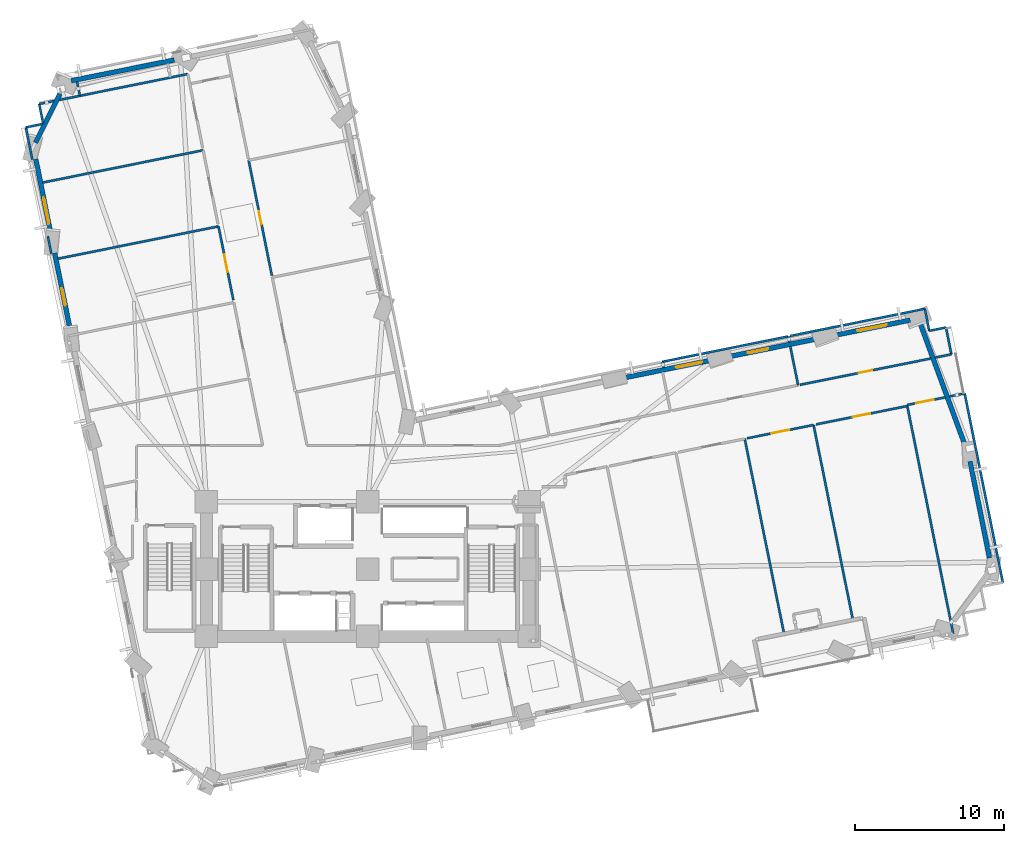
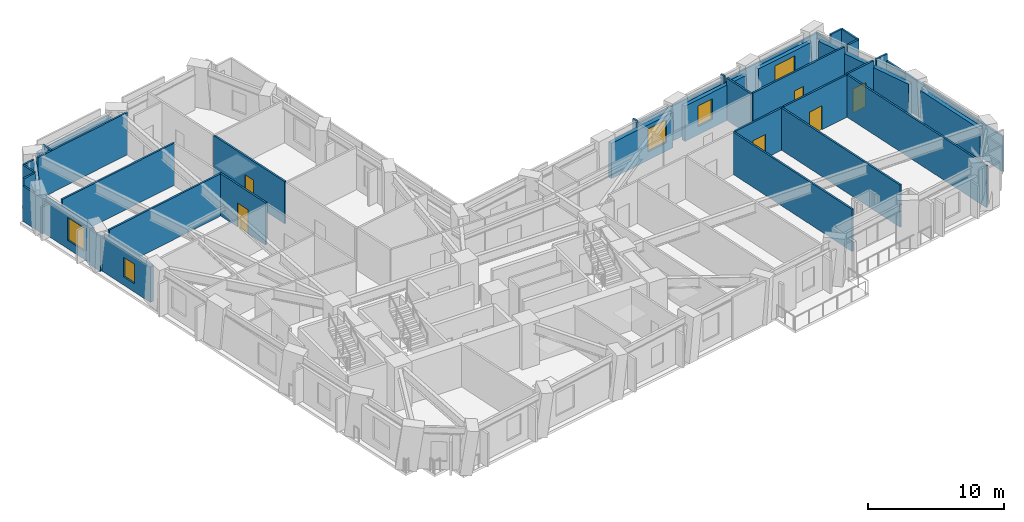
# One storey, part 10 of 16: 38 walls, 6 doors, 5 windows, 11 openings.
"""IFC4 building model written with IfcOpenShell, lengths in metres."""

from ifc_helpers import new_model, si_unit, direction, frame, frame_2d, origin, place, context, subcontext, project, spatial, rectangle, extrude, material, layer, layer_set, type_object, element, fill, save


model = new_model("IFC4")

# Units and contexts
model_context = context("Model", 3, precision=1e-05, world=origin(), true_north=direction((0.0, 1.0)))
body_context = subcontext(model_context, "Body", "Model", "MODEL_VIEW")
ifc_project = project(units=[si_unit("LENGTHUNIT", "METRE"), si_unit("AREAUNIT", "SQUARE_METRE"), si_unit("VOLUMEUNIT", "CUBIC_METRE"), si_unit("PLANEANGLEUNIT", "RADIAN"), si_unit("MASSUNIT", "GRAM", prefix="KILO")], contexts=[model_context])

# Site, building, storey
site_placement = place(None, origin())
site = spatial("IfcSite", under=ifc_project, at=site_placement, CompositionType="ELEMENT")
building_placement = place(site_placement, origin())
building = spatial("IfcBuilding", under=site, at=building_placement, Name="Gaonmaruhae Medical Tower", CompositionType="ELEMENT")
storey_placement = place(building_placement, frame((0.0, 0.0, 71.0)))
storey = spatial("IfcBuildingStorey", under=building, at=storey_placement, Name="L16", CompositionType="ELEMENT", Elevation=71.0)

# Walls
ifc_material_1 = material(Name="Precast concrete C45/55", Category="concrete")
ifc_layer_1 = layer(ifc_material_1, 0.320068359375)
ifc_layer_set_1 = layer_set([ifc_layer_1], Name="Precast concrete C45/55")
wall_type_1 = type_object("IfcWallType", Name="EW-320 Lower Precast Masonry-Frame Facade Wall", PredefinedType="SOLIDWALL", material=ifc_layer_set_1)
wall_1_placement = place(storey_placement, frame((65.114990234375, 19.52197265625, 0.0), z_axis=(0.0, 0.0, 1.0), x_axis=(0.197635891503, -0.98027549923, 0.0)))
element("IfcWall", 1, at=wall_1_placement, inside=storey, type_object=wall_type_1, Name="L16 Precast Masonry-Frame Wall E01-E02", PredefinedType="SOLIDWALL", context=body_context, shape_type="SweptSolid", body=[
    extrude(rectangle(XDim=6.610107421875, YDim=0.320068359375, at=frame_2d((3.30517578125, 0.0))), origin(), (0.0, 0.0, 1.0), 3.1650390625),
])
wall_2_placement = place(storey_placement, frame((61.787109375, 28.72802734375, 0.0), z_axis=(0.0, 0.0, 1.0), x_axis=(0.345133939305, -0.93855344224, 0.0)))
element("IfcWall", 2, at=wall_2_placement, inside=storey, type_object=wall_type_1, Name="L16 Precast Masonry-Frame Wall E02-E03", PredefinedType="SOLIDWALL", context=body_context, shape_type="SweptSolid", body=[
    extrude(rectangle(XDim=8.61376953125, YDim=0.320068359375, at=frame_2d((4.306884765625, 0.0))), origin(), (0.0, 0.0, 1.0), 3.1650390625),
])

# Wall, opening, window
wall_3_placement = place(storey_placement, frame((56.0107421875, 27.941650390625, 0.0), z_axis=(0.0, 0.0, 1.0), x_axis=(0.980274855715, 0.197639083312, 0.0)))
wall_3 = element("IfcWall", 3, at=wall_3_placement, inside=storey, type_object=wall_type_1, Name="L16 Precast Masonry-Frame Wall E03-EN01", PredefinedType="SOLIDWALL", context=body_context, shape_type="SweptSolid", body=[
    extrude(rectangle(XDim=5.209228515625, YDim=0.320068359375, at=frame_2d((2.6044921875, 0.0))), origin(), (0.0, 0.0, 1.0), 3.1650390625),
])
opening_1_placement = place(wall_3_placement, frame((1.60009765625, 0.0, 0.75)))
opening_1 = element("IfcOpeningElement", 4, at=opening_1_placement, cuts=wall_3, Name="Opening WN-02", PredefinedType="OPENING", context=body_context, shape_type="SweptSolid", body=[
    extrude(rectangle(XDim=2.0, YDim=1.949951171875, at=frame_2d((1.0, 0.97509765625))), frame((0.0, 0.169921875, 0.0), z_axis=(0.0, -1.0, 0.0), x_axis=(1.0, 0.0, 0.0)), (0.0, 0.0, 1.0), 0.340087890625),
])
ifc_material_2 = material(Name="Anodised aluminium and Low-E double glazing", Category="aluminium")
window_type_1 = type_object("IfcWindowType", Name="WN-02 Double-Bed Ward Punched Window 2000x1950", PartitioningType="SINGLE_PANEL", PredefinedType="WINDOW", material=ifc_material_2)
window_1_placement = place(opening_1_placement, origin())
window_1 = element("IfcWindow", 5, at=window_1_placement, inside=storey, type_object=window_type_1, Name="L16 Modular Facade Window E03", OverallHeight=1.949951171875, OverallWidth=2.0, PartitioningType="SINGLE_PANEL", PredefinedType="WINDOW", context=body_context, shape_type="SweptSolid", body=[
    extrude(rectangle(XDim=2.0, YDim=1.949951171875, at=frame_2d((1.0, 0.97509765625))), frame((0.0, 0.030029296875, 0.0), z_axis=(0.0, -1.0, 0.0), x_axis=(1.0, 0.0, 0.0)), (0.0, 0.0, 1.0), 0.06005859375),
])
fill(opening_1, window_1)

wall_4_placement = place(storey_placement, frame((48.968505859375, 26.521484375, 0.0), z_axis=(0.0, 0.0, 1.0), x_axis=(0.980264549112, 0.197690196402, 0.0)))
wall_4 = element("IfcWall", 6, at=wall_4_placement, inside=storey, type_object=wall_type_1, Name="L16 Precast Masonry-Frame Wall EN01-EN02", PredefinedType="SOLIDWALL", context=body_context, shape_type="SweptSolid", body=[
    extrude(rectangle(XDim=6.024169921875, YDim=0.320068359375, at=frame_2d((3.01220703125, 0.0))), origin(), (0.0, 0.0, 1.0), 3.1650390625),
])
opening_2_placement = place(wall_4_placement, frame((1.282958984375, 0.0, 0.75)))
opening_2 = element("IfcOpeningElement", 7, at=opening_2_placement, cuts=wall_4, Name="Opening WN-03", PredefinedType="OPENING", context=body_context, shape_type="SweptSolid", body=[
    extrude(rectangle(XDim=1.39990234375, YDim=1.85009765625, at=frame_2d((0.699951171875, 0.925048828125))), frame((0.0, 0.169921875, 0.0), z_axis=(0.0, -1.0, 0.0), x_axis=(1.0, 0.0, 0.0)), (0.0, 0.0, 1.0), 0.340087890625),
])
window_type_2 = type_object("IfcWindowType", Name="WN-03 Isolation Ward Punched Window 1400x1850", PartitioningType="SINGLE_PANEL", PredefinedType="WINDOW", material=ifc_material_2)
window_2_placement = place(opening_2_placement, origin())
window_2 = element("IfcWindow", 8, at=window_2_placement, inside=storey, type_object=window_type_2, Name="L16 Modular Facade Window EN01", OverallHeight=1.85009765625, OverallWidth=1.39990234375, PartitioningType="SINGLE_PANEL", PredefinedType="WINDOW", context=body_context, shape_type="SweptSolid", body=[
    extrude(rectangle(XDim=1.39990234375, YDim=1.85009765625, at=frame_2d((0.699951171875, 0.925048828125))), frame((0.0, 0.030029296875, 0.0), z_axis=(0.0, -1.0, 0.0), x_axis=(1.0, 0.0, 0.0)), (0.0, 0.0, 1.0), 0.06005859375),
])
fill(opening_2, window_2)

wall_5_placement = place(storey_placement, frame((41.919921875, 25.100341796875, 0.0), z_axis=(0.0, 0.0, 1.0), x_axis=(0.980266412563, 0.197680956091, 0.0)))
wall_5 = element("IfcWall", 9, at=wall_5_placement, inside=storey, type_object=wall_type_1, Name="L16 Precast Masonry-Frame Wall EN02-EN03", PredefinedType="SOLIDWALL", context=body_context, shape_type="SweptSolid", body=[
    extrude(rectangle(XDim=5.999755859375, YDim=0.320068359375, at=frame_2d((3.0, 0.0))), origin(), (0.0, 0.0, 1.0), 3.1650390625),
])
opening_3_placement = place(wall_5_placement, frame((3.58251953125, 0.0, 0.75)))
opening_3 = element("IfcOpeningElement", 10, at=opening_3_placement, cuts=wall_5, Name="Opening WN-04", PredefinedType="OPENING", context=body_context, shape_type="SweptSolid", body=[
    extrude(rectangle(XDim=1.800048828125, YDim=2.050048828125, at=frame_2d((0.89990234375, 1.02490234375))), frame((0.0, 0.169921875, 0.0), z_axis=(0.0, -1.0, 0.0), x_axis=(1.0, 0.0, 0.0)), (0.0, 0.0, 1.0), 0.340087890625),
])
window_type_3 = type_object("IfcWindowType", Name="WN-04 Clinic & Consult Punched Window 1800x2050", PartitioningType="SINGLE_PANEL", PredefinedType="WINDOW", material=ifc_material_2)
window_3_placement = place(opening_3_placement, origin())
window_3 = element("IfcWindow", 11, at=window_3_placement, inside=storey, type_object=window_type_3, Name="L16 Modular Facade Window EN02", OverallHeight=2.050048828125, OverallWidth=1.800048828125, PartitioningType="SINGLE_PANEL", PredefinedType="WINDOW", context=body_context, shape_type="SweptSolid", body=[
    extrude(rectangle(XDim=1.800048828125, YDim=2.050048828125, at=frame_2d((0.89990234375, 1.02490234375))), frame((0.0, 0.030029296875, 0.0), z_axis=(0.0, -1.0, 0.0), x_axis=(1.0, 0.0, 0.0)), (0.0, 0.0, 1.0), 0.06005859375),
])
fill(opening_3, window_3)

# Walls
wall_6_placement = place(storey_placement, frame((4.9580078125, 44.987060546875, 0.0), z_axis=(0.0, 0.0, 1.0), x_axis=(0.980272459047, 0.197650970234, 0.0)))
element("IfcWall", 12, at=wall_6_placement, inside=storey, type_object=wall_type_1, Name="L16 Precast Masonry-Frame Wall N02-N03", PredefinedType="SOLIDWALL", context=body_context, shape_type="SweptSolid", body=[
    extrude(rectangle(XDim=7.034423828125, YDim=0.320068359375, at=frame_2d((3.51708984375, 0.0))), origin(), (0.0, 0.0, 1.0), 3.1650390625),
])
wall_7_placement = place(storey_placement, frame((2.564208984375, 40.8330078125, 0.0), z_axis=(0.0, 0.0, 1.0), x_axis=(0.446654108226, 0.894706715972, 0.0)))
element("IfcWall", 13, at=wall_7_placement, inside=storey, type_object=wall_type_1, Name="L16 Precast Masonry-Frame Wall N03-W01", PredefinedType="SOLIDWALL", context=body_context, shape_type="SweptSolid", body=[
    extrude(rectangle(XDim=3.666015625, YDim=0.320068359375, at=frame_2d((1.8330078125, 0.0))), origin(), (0.0, 0.0, 1.0), 3.1650390625),
])

# Wall, opening, window
wall_8_placement = place(storey_placement, frame((3.61474609375, 34.6337890625, 0.0), z_axis=(0.0, 0.0, 1.0), x_axis=(-0.197635090988, 0.980275660623, 0.0)))
wall_8 = element("IfcWall", 14, at=wall_8_placement, inside=storey, type_object=wall_type_1, Name="L16 Precast Masonry-Frame Wall W01-W02", PredefinedType="SOLIDWALL", context=body_context, shape_type="SweptSolid", body=[
    extrude(rectangle(XDim=5.222900390625, YDim=0.320068359375, at=frame_2d((2.611328125, 0.0))), origin(), (0.0, 0.0, 1.0), 3.1650390625),
])
opening_4_placement = place(wall_8_placement, frame((0.78955078125, 0.0, 0.75)))
opening_4 = element("IfcOpeningElement", 15, at=opening_4_placement, cuts=wall_8, Name="Opening WN-04", PredefinedType="OPENING", context=body_context, shape_type="SweptSolid", body=[
    extrude(rectangle(XDim=1.800048828125, YDim=2.050048828125, at=frame_2d((0.89990234375, 1.02490234375))), frame((0.0, 0.169921875, 0.0), z_axis=(0.0, -1.0, 0.0), x_axis=(1.0, 0.0, 0.0)), (0.0, 0.0, 1.0), 0.340087890625),
])
window_4_placement = place(opening_4_placement, origin())
window_4 = element("IfcWindow", 16, at=window_4_placement, inside=storey, type_object=window_type_3, Name="L16 Modular Facade Window W01", OverallHeight=2.050048828125, OverallWidth=1.800048828125, PartitioningType="SINGLE_PANEL", PredefinedType="WINDOW", context=body_context, shape_type="SweptSolid", body=[
    extrude(rectangle(XDim=1.800048828125, YDim=2.050048828125, at=frame_2d((0.89990234375, 1.02490234375))), frame((0.0, 0.030029296875, 0.0), z_axis=(0.0, -1.0, 0.0), x_axis=(1.0, 0.0, 0.0)), (0.0, 0.0, 1.0), 0.06005859375),
])
fill(opening_4, window_4)

wall_9_placement = place(storey_placement, frame((4.91748046875, 28.173095703125, 0.0), z_axis=(0.0, 0.0, 1.0), x_axis=(-0.197645987071, 0.980273463782, 0.0)))
wall_9 = element("IfcWall", 17, at=wall_9_placement, inside=storey, type_object=wall_type_1, Name="L16 Precast Masonry-Frame Wall W02-W03", PredefinedType="SOLIDWALL", context=body_context, shape_type="SweptSolid", body=[
    extrude(rectangle(XDim=5.400390625, YDim=0.320068359375, at=frame_2d((2.7001953125, 0.0))), origin(), (0.0, 0.0, 1.0), 3.1650390625),
])
opening_5_placement = place(wall_9_placement, frame((1.782958984375, 0.0, 0.75)))
opening_5 = element("IfcOpeningElement", 18, at=opening_5_placement, cuts=wall_9, Name="Opening WN-05", PredefinedType="OPENING", context=body_context, shape_type="SweptSolid", body=[
    extrude(rectangle(XDim=1.199951171875, YDim=1.75, at=frame_2d((0.60009765625, 0.875))), frame((0.0, 0.169921875, 0.0), z_axis=(0.0, -1.0, 0.0), x_axis=(1.0, 0.0, 0.0)), (0.0, 0.0, 1.0), 0.340087890625),
])
window_type_4 = type_object("IfcWindowType", Name="WN-05 Support & Staff Punched Window 1200x1750", PartitioningType="SINGLE_PANEL", PredefinedType="WINDOW", material=ifc_material_2)
window_5_placement = place(opening_5_placement, origin())
window_5 = element("IfcWindow", 19, at=window_5_placement, inside=storey, type_object=window_type_4, Name="L16 Modular Facade Window W02", OverallHeight=1.75, OverallWidth=1.199951171875, PartitioningType="SINGLE_PANEL", PredefinedType="WINDOW", context=body_context, shape_type="SweptSolid", body=[
    extrude(rectangle(XDim=1.199951171875, YDim=1.75, at=frame_2d((0.60009765625, 0.875))), frame((0.0, 0.030029296875, 0.0), z_axis=(0.0, -1.0, 0.0), x_axis=(1.0, 0.0, 0.0)), (0.0, 0.0, 1.0), 0.06005859375),
])
fill(opening_5, window_5)

# Walls
ifc_material_3 = material(Name="Gypsum board partition", Category="gypsum")
ifc_layer_2 = layer(ifc_material_3, 0.14990234375)
ifc_layer_set_2 = layer_set([ifc_layer_2], Name="Gypsum board partition")
wall_type_2 = type_object("IfcWallType", Name="PW-150 Rated Clinical Corridor Partition", PredefinedType="PARTITIONING", material=ifc_layer_set_2)
for number, where, z_axis, x_axis, name in (
    (20, (50.035888671875, 21.02392578125, 0.0), (0.0, 0.0, 1.0), (0.197593940898, -0.980283956066, 0.0), "L16 Interior Partition L16-SUP09-30"),
    (21, (54.64306640625, 21.952880859375, 0.0), (0.0, 0.0, 1.0), (0.197576186784, -0.980287534561, 0.0), "L16 Interior Partition L16-SUP10-31"),
):
    element("IfcWall", number, at=place(storey_placement, frame(where, z_axis=z_axis, x_axis=x_axis)), inside=storey, type_object=wall_type_2, Name=name, PredefinedType="PARTITIONING", context=body_context, shape_type="SweptSolid", body=[
        extrude(rectangle(XDim=13.21435546875, YDim=0.14990234375, at=frame_2d((6.607177734375, 0.0))), origin(), (0.0, 0.0, 1.0), 3.780029296875),
    ])

# Wall, opening, door
wall_10_placement = place(storey_placement, frame((50.19189453125, 21.055908203125, 0.0), z_axis=(0.0, 0.0, 1.0), x_axis=(0.980294254629, 0.197542841789, 0.0)))
wall_10 = element("IfcWall", 22, at=wall_10_placement, inside=storey, type_object=wall_type_2, Name="L16 Interior Partition L16-SUP10-35", PredefinedType="PARTITIONING", context=body_context, shape_type="SweptSolid", body=[
    extrude(rectangle(XDim=4.54052734375, YDim=0.14990234375, at=frame_2d((2.270263671875, 0.0))), origin(), (0.0, 0.0, 1.0), 3.780029296875),
])
opening_6_placement = place(wall_10_placement, frame((1.670166015625, 0.0, 0.0)))
opening_6 = element("IfcOpeningElement", 23, at=opening_6_placement, cuts=wall_10, Name="Opening CD-02", PredefinedType="OPENING", context=body_context, shape_type="SweptSolid", body=[
    extrude(rectangle(XDim=1.199951171875, YDim=2.14990234375, at=frame_2d((0.60009765625, 1.074951171875))), frame((0.0, 0.0849609375, 0.0), z_axis=(0.0, -1.0, 0.0), x_axis=(1.0, 0.0, 0.0)), (0.0, 0.0, 1.0), 0.169921875),
])
ifc_material_4 = material(Name="Antimicrobial laminate timber fire door", Category="wood")
door_type_1 = type_object("IfcDoorType", Name="CD-02 Clinical Treatment & Procedure Door 1200x2150", OperationType="NOTDEFINED", PredefinedType="DOOR", material=ifc_material_4)
door_1_placement = place(opening_6_placement, origin())
door_1 = element("IfcDoor", 24, at=door_1_placement, inside=storey, type_object=door_type_1, Name="L16 Clinical Biomedical Charting Office Door", OperationType="SINGLE_SWING_RIGHT", OverallHeight=2.14990234375, OverallWidth=1.199951171875, PredefinedType="DOOR", context=body_context, shape_type="SweptSolid", body=[
    extrude(rectangle(XDim=1.199951171875, YDim=2.14990234375, at=frame_2d((0.60009765625, 1.074951171875))), frame((0.0, 0.02490234375, 0.0), z_axis=(0.0, -1.0, 0.0), x_axis=(1.0, 0.0, 0.0)), (0.0, 0.0, 1.0), 0.050048828125),
])
fill(opening_6, door_1)

wall_11_placement = place(storey_placement, frame((54.800048828125, 21.985107421875, 0.0), z_axis=(0.0, 0.0, 1.0), x_axis=(0.980286137762, 0.197583116971, 0.0)))
wall_11 = element("IfcWall", 25, at=wall_11_placement, inside=storey, type_object=wall_type_2, Name="L16 Interior Partition L16-SUP11-36", PredefinedType="PARTITIONING", context=body_context, shape_type="SweptSolid", body=[
    extrude(rectangle(XDim=6.239990234375, YDim=0.14990234375, at=frame_2d((3.1201171875, 0.0))), origin(), (0.0, 0.0, 1.0), 3.780029296875),
])
opening_7_placement = place(wall_11_placement, frame((2.52001953125, 0.0, 0.0)))
opening_7 = element("IfcOpeningElement", 26, at=opening_7_placement, cuts=wall_11, Name="Opening CD-02", PredefinedType="OPENING", context=body_context, shape_type="SweptSolid", body=[
    extrude(rectangle(XDim=1.199951171875, YDim=2.14990234375, at=frame_2d((0.60009765625, 1.074951171875))), frame((0.0, 0.0849609375, 0.0), z_axis=(0.0, -1.0, 0.0), x_axis=(1.0, 0.0, 0.0)), (0.0, 0.0, 1.0), 0.169921875),
])
door_2_placement = place(opening_7_placement, origin())
door_2 = element("IfcDoor", 27, at=door_2_placement, inside=storey, type_object=door_type_1, Name="L16 Clinical Biomedical Charting Office Door", OperationType="SINGLE_SWING_LEFT", OverallHeight=2.14990234375, OverallWidth=1.199951171875, PredefinedType="DOOR", context=body_context, shape_type="SweptSolid", body=[
    extrude(rectangle(XDim=1.199951171875, YDim=2.14990234375, at=frame_2d((0.60009765625, 1.074951171875))), frame((0.0, 0.02490234375, 0.0), z_axis=(0.0, -1.0, 0.0), x_axis=(1.0, 0.0, 0.0)), (0.0, 0.0, 1.0), 0.050048828125),
])
fill(opening_7, door_2)

# Walls
wall_12_placement = place(storey_placement, frame((60.9169921875, 23.218017578125, 0.0), z_axis=(0.0, 0.0, 1.0), x_axis=(0.197633619229, -0.980275957346, 0.0)))
element("IfcWall", 28, at=wall_12_placement, inside=storey, type_object=wall_type_2, Name="L16 Interior Partition L16-SUP11-37", PredefinedType="PARTITIONING", context=body_context, shape_type="SweptSolid", body=[
    extrude(rectangle(XDim=15.529296875, YDim=0.14990234375, at=frame_2d((7.7646484375, 0.0))), origin(), (0.0, 0.0, 1.0), 3.780029296875),
])
wall_13_placement = place(storey_placement, frame((4.06689453125, 33.075927734375, 0.0), z_axis=(0.0, 0.0, 1.0), x_axis=(0.980274606561, 0.197640319095, 0.0)))
element("IfcWall", 29, at=wall_13_placement, inside=storey, type_object=wall_type_2, Name="L16 Interior Partition L16-WOF15-52", PredefinedType="PARTITIONING", context=body_context, shape_type="SweptSolid", body=[
    extrude(rectangle(XDim=10.96435546875, YDim=0.14990234375, at=frame_2d((5.482177734375, 0.0))), origin(), (0.0, 0.0, 1.0), 3.780029296875),
])

# Wall, opening, door
wall_14_placement = place(storey_placement, frame((14.81494140625, 35.242919921875, 0.0), z_axis=(0.0, 0.0, 1.0), x_axis=(0.197662458337, -0.980270142646, 0.0)))
wall_14 = element("IfcWall", 30, at=wall_14_placement, inside=storey, type_object=wall_type_2, Name="L16 Interior Partition L16-WOF15-53", PredefinedType="PARTITIONING", context=body_context, shape_type="SweptSolid", body=[
    extrude(rectangle(XDim=5.039306640625, YDim=0.14990234375, at=frame_2d((2.51953125, 0.0))), origin(), (0.0, 0.0, 1.0), 3.780029296875),
])
opening_8_placement = place(wall_14_placement, frame((1.919677734375, 0.0, 0.0)))
opening_8 = element("IfcOpeningElement", 31, at=opening_8_placement, cuts=wall_14, Name="Opening CD-02", PredefinedType="OPENING", context=body_context, shape_type="SweptSolid", body=[
    extrude(rectangle(XDim=1.199951171875, YDim=2.14990234375, at=frame_2d((0.60009765625, 1.074951171875))), frame((0.0, 0.0849609375, 0.0), z_axis=(0.0, -1.0, 0.0), x_axis=(1.0, 0.0, 0.0)), (0.0, 0.0, 1.0), 0.169921875),
])
door_3_placement = place(opening_8_placement, origin())
door_3 = element("IfcDoor", 32, at=door_3_placement, inside=storey, type_object=door_type_1, Name="L16 Ward Physician Reporting Office Door", OperationType="SINGLE_SWING_RIGHT", OverallHeight=2.14990234375, OverallWidth=1.199951171875, PredefinedType="DOOR", context=body_context, shape_type="SweptSolid", body=[
    extrude(rectangle(XDim=1.199951171875, YDim=2.14990234375, at=frame_2d((0.60009765625, 1.074951171875))), frame((0.0, 0.02490234375, 0.0), z_axis=(0.0, -1.0, 0.0), x_axis=(1.0, 0.0, 0.0)), (0.0, 0.0, 1.0), 0.050048828125),
])
fill(opening_8, door_3)

# Walls
wall_15_placement = place(storey_placement, frame((3.0390625, 38.173095703125, 0.0), z_axis=(0.0, 0.0, 1.0), x_axis=(0.980274606561, 0.197640319095, 0.0)))
element("IfcWall", 33, at=wall_15_placement, inside=storey, type_object=wall_type_2, Name="L16 Interior Partition L16-WOF16-54", PredefinedType="PARTITIONING", context=body_context, shape_type="SweptSolid", body=[
    extrude(rectangle(XDim=10.96435546875, YDim=0.14990234375, at=frame_2d((5.482177734375, 0.0))), origin(), (0.0, 0.0, 1.0), 3.780029296875),
])
wall_16_placement = place(storey_placement, frame((3.6240234375, 33.4208984375, 0.0), z_axis=(0.0, 0.0, 1.0), x_axis=(-0.197496316867, 0.980303628895, 0.0)))
element("IfcWall", 34, at=wall_16_placement, inside=storey, type_object=wall_type_2, Name="L16 Interior Partition L16-WOF16-56", PredefinedType="PARTITIONING", context=body_context, shape_type="SweptSolid", body=[
    extrude(rectangle(XDim=1.1904296875, YDim=0.14990234375, at=frame_2d((0.59521484375, 0.0))), origin(), (0.0, 0.0, 1.0), 3.1650390625),
])
wall_17_placement = place(storey_placement, frame((2.81005859375, 43.431884765625, 0.0), z_axis=(0.0, 0.0, 1.0), x_axis=(0.980248563295, 0.19776944698, 0.0)))
element("IfcWall", 35, at=wall_17_placement, inside=storey, type_object=wall_type_2, Name="L16 Interior Partition L16-WOF17-57", PredefinedType="PARTITIONING", context=body_context, shape_type="SweptSolid", body=[
    extrude(rectangle(XDim=1.022216796875, YDim=0.14990234375, at=frame_2d((0.51123046875, 0.0))), origin(), (0.0, 0.0, 1.0), 3.780029296875),
])
wall_18_placement = place(storey_placement, frame((4.14697265625, 43.701904296875, 0.0), z_axis=(0.0, 0.0, 1.0), x_axis=(0.980284600803, 0.197590742263, 0.0)))
element("IfcWall", 36, at=wall_18_placement, inside=storey, type_object=wall_type_2, Name="L16 Interior Partition L16-WOF17-58", PredefinedType="PARTITIONING", context=body_context, shape_type="SweptSolid", body=[
    extrude(rectangle(XDim=8.786376953125, YDim=0.14990234375, at=frame_2d((4.39306640625, 0.0))), origin(), (0.0, 0.0, 1.0), 3.780029296875),
])
wall_19_placement = place(storey_placement, frame((2.35693359375, 39.7080078125, 0.0), z_axis=(0.0, 0.0, 1.0), x_axis=(-0.197687528827, 0.980265087079, 0.0)))
element("IfcWall", 37, at=wall_19_placement, inside=storey, type_object=wall_type_2, Name="L16 Interior Partition L16-WOF17-60", PredefinedType="PARTITIONING", context=body_context, shape_type="SweptSolid", body=[
    extrude(rectangle(XDim=2.210693359375, YDim=0.14990234375, at=frame_2d((1.10546875, 0.0))), origin(), (0.0, 0.0, 1.0), 3.1650390625),
])
wall_20_placement = place(storey_placement, frame((1.919921875, 41.875, 0.0), z_axis=(0.0, 0.0, 1.0), x_axis=(0.980310258895, 0.197463404976, 0.0)))
element("IfcWall", 38, at=wall_20_placement, inside=storey, type_object=wall_type_2, Name="L16 Interior Partition L16-WOF17-61", PredefinedType="PARTITIONING", context=body_context, shape_type="SweptSolid", body=[
    extrude(rectangle(XDim=1.14990234375, YDim=0.14990234375, at=frame_2d((0.574951171875, 0.0))), origin(), (0.0, 0.0, 1.0), 3.780029296875),
])
wall_21_placement = place(storey_placement, frame((3.069091796875, 42.14697265625, 0.0), z_axis=(0.0, 0.0, 1.0), x_axis=(-0.197620300153, 0.980278642513, 0.0)))
element("IfcWall", 39, at=wall_21_placement, inside=storey, type_object=wall_type_2, Name="L16 Interior Partition L16-WOF17-62", PredefinedType="PARTITIONING", context=body_context, shape_type="SweptSolid", body=[
    extrude(rectangle(XDim=1.310791015625, YDim=0.14990234375, at=frame_2d((0.6552734375, 0.0))), origin(), (0.0, 0.0, 1.0), 3.780029296875),
])
wall_22_placement = place(storey_placement, frame((44.60009765625, 25.779052734375, 0.0), z_axis=(0.0, 0.0, 1.0), x_axis=(-0.198042682766, 0.980193397143, 0.0)))
element("IfcWall", 40, at=wall_22_placement, inside=storey, type_object=wall_type_2, Name="L16 Interior Partition L16-IE04-76", PredefinedType="PARTITIONING", context=body_context, shape_type="SweptSolid", body=[
    extrude(rectangle(XDim=0.414306640625, YDim=0.14990234375, at=frame_2d((0.20703125, 0.0))), origin(), (0.0, 0.0, 1.0), 3.780029296875),
])
wall_23_placement = place(storey_placement, frame((44.51806640625, 26.18505859375, 0.0), z_axis=(0.0, 0.0, 1.0), x_axis=(0.98026714607, 0.19767731872, 0.0)))
element("IfcWall", 41, at=wall_23_placement, inside=storey, type_object=wall_type_2, Name="L16 Interior Partition L16-IE04-77", PredefinedType="PARTITIONING", context=body_context, shape_type="SweptSolid", body=[
    extrude(rectangle(XDim=8.599609375, YDim=0.14990234375, at=frame_2d((4.2998046875, 0.0))), origin(), (0.0, 0.0, 1.0), 3.1650390625),
])
wall_24_placement = place(storey_placement, frame((52.947998046875, 27.885009765625, 0.0), z_axis=(0.0, 0.0, 1.0), x_axis=(0.197586049022, -0.980285546783, 0.0)))
element("IfcWall", 42, at=wall_24_placement, inside=storey, type_object=wall_type_2, Name="L16 Interior Partition L16-IE04-78", PredefinedType="PARTITIONING", context=body_context, shape_type="SweptSolid", body=[
    extrude(rectangle(XDim=0.415283203125, YDim=0.14990234375, at=frame_2d((0.20751953125, 0.0))), origin(), (0.0, 0.0, 1.0), 3.780029296875),
])
wall_25_placement = place(storey_placement, frame((53.0830078125, 27.214111328125, 0.0), z_axis=(0.0, 0.0, 1.0), x_axis=(0.197671802264, -0.980268258483, 0.0)))
element("IfcWall", 43, at=wall_25_placement, inside=storey, type_object=wall_type_2, Name="L16 Interior Partition L16-IE04-79", PredefinedType="PARTITIONING", context=body_context, shape_type="SweptSolid", body=[
    extrude(rectangle(XDim=2.655517578125, YDim=0.14990234375, at=frame_2d((1.32763671875, 0.0))), origin(), (0.0, 0.0, 1.0), 3.780029296875),
])
wall_26_placement = place(storey_placement, frame((62.384033203125, 28.258056640625, 0.0), z_axis=(0.0, 0.0, 1.0), x_axis=(0.980365990899, 0.197186520554, 0.0)))
element("IfcWall", 44, at=wall_26_placement, inside=storey, type_object=wall_type_2, Name="L16 Interior Partition L16-IE05-80", PredefinedType="PARTITIONING", context=body_context, shape_type="SweptSolid", body=[
    extrude(rectangle(XDim=1.140380859375, YDim=0.14990234375, at=frame_2d((0.5703125, 0.0))), origin(), (0.0, 0.0, 1.0), 3.780029296875),
])
wall_27_placement = place(storey_placement, frame((63.501953125, 28.48291015625, 0.0), z_axis=(0.0, 0.0, 1.0), x_axis=(0.197799638004, -0.980242471639, 0.0)))
element("IfcWall", 45, at=wall_27_placement, inside=storey, type_object=wall_type_2, Name="L16 Interior Partition L16-IE05-81", PredefinedType="PARTITIONING", context=body_context, shape_type="SweptSolid", body=[
    extrude(rectangle(XDim=1.84033203125, YDim=0.14990234375, at=frame_2d((0.920166015625, 0.0))), origin(), (0.0, 0.0, 1.0), 3.780029296875),
])
wall_28_placement = place(storey_placement, frame((63.865966796875, 26.678955078125, 0.0), z_axis=(0.0, 0.0, 1.0), x_axis=(-0.98024449282, -0.197789621304, 0.0)))
element("IfcWall", 46, at=wall_28_placement, inside=storey, type_object=wall_type_2, Name="L16 Interior Partition L16-IE05-82", PredefinedType="PARTITIONING", context=body_context, shape_type="SweptSolid", body=[
    extrude(rectangle(XDim=1.1220703125, YDim=0.14990234375, at=frame_2d((0.56103515625, 0.0))), origin(), (0.0, 0.0, 1.0), 3.780029296875),
])

# Wall, opening, door
wall_29_placement = place(storey_placement, frame((62.498046875, 26.403076171875, 0.0), z_axis=(0.0, 0.0, 1.0), x_axis=(-0.980285756007, -0.197585010994, 0.0)))
wall_29 = element("IfcWall", 47, at=wall_29_placement, inside=storey, type_object=wall_type_2, Name="L16 Interior Partition L16-IE05-83", PredefinedType="PARTITIONING", context=body_context, shape_type="SweptSolid", body=[
    extrude(rectangle(XDim=8.948486328125, YDim=0.14990234375, at=frame_2d((4.47412109375, 0.0))), origin(), (0.0, 0.0, 1.0), 3.780029296875),
])
opening_9_placement = place(wall_29_placement, frame((4.01416015625, 0.0, 0.0)))
opening_9 = element("IfcOpeningElement", 48, at=opening_9_placement, cuts=wall_29, Name="Opening UD-01", PredefinedType="OPENING", context=body_context, shape_type="SweptSolid", body=[
    extrude(rectangle(XDim=0.919921875, YDim=2.10009765625, at=frame_2d((0.4599609375, 1.050048828125))), frame((0.0, 0.0849609375, 0.0), z_axis=(0.0, -1.0, 0.0), x_axis=(1.0, 0.0, 0.0)), (0.0, 0.0, 1.0), 0.169921875),
])
ifc_material_5 = material(Name="Powder-coated steel utility door", Category="steel")
door_type_2 = type_object("IfcDoorType", Name="UD-01 Toilet, Utility & Housekeeping Door 920x2100", OperationType="NOTDEFINED", PredefinedType="DOOR", material=ifc_material_5)
door_4_placement = place(opening_9_placement, origin())
door_4 = element("IfcDoor", 49, at=door_4_placement, inside=storey, type_object=door_type_2, Name="L16 Ward Housekeeping and Linen Store Door", OperationType="SINGLE_SWING_LEFT", OverallHeight=2.10009765625, OverallWidth=0.919921875, PredefinedType="DOOR", context=body_context, shape_type="SweptSolid", body=[
    extrude(rectangle(XDim=0.919921875, YDim=2.10009765625, at=frame_2d((0.4599609375, 1.050048828125))), frame((0.0, 0.02490234375, 0.0), z_axis=(0.0, -1.0, 0.0), x_axis=(1.0, 0.0, 0.0)), (0.0, 0.0, 1.0), 0.050048828125),
])
fill(opening_9, door_4)

# Walls
wall_30_placement = place(storey_placement, frame((53.06591796875, 27.908935546875, 0.0), z_axis=(0.0, 0.0, 1.0), x_axis=(0.980272374433, 0.197651389887, 0.0)))
element("IfcWall", 50, at=wall_30_placement, inside=storey, type_object=wall_type_2, Name="L16 Interior Partition L16-IE05-84", PredefinedType="PARTITIONING", context=body_context, shape_type="SweptSolid", body=[
    extrude(rectangle(XDim=9.20361328125, YDim=0.14990234375, at=frame_2d((4.601806640625, 0.0))), origin(), (0.0, 0.0, 1.0), 3.1650390625),
])
wall_31_placement = place(storey_placement, frame((62.087890625, 29.72802734375, 0.0), z_axis=(0.0, 0.0, 1.0), x_axis=(0.197493600029, -0.980304176237, 0.0)))
element("IfcWall", 51, at=wall_31_placement, inside=storey, type_object=wall_type_2, Name="L16 Interior Partition L16-IE05-85", PredefinedType="PARTITIONING", context=body_context, shape_type="SweptSolid", body=[
    extrude(rectangle(XDim=1.49951171875, YDim=0.14990234375, at=frame_2d((0.749755859375, 0.0))), origin(), (0.0, 0.0, 1.0), 3.1650390625),
])

# Wall, opening, door
wall_32_placement = place(storey_placement, frame((18.386962890625, 31.948974609375, 0.0), z_axis=(0.0, 0.0, 1.0), x_axis=(-0.197690746024, 0.98026443827, 0.0)))
wall_32 = element("IfcWall", 52, at=wall_32_placement, inside=storey, type_object=wall_type_2, Name="L16 Interior Partition L16-IN02-89", PredefinedType="PARTITIONING", context=body_context, shape_type="SweptSolid", body=[
    extrude(rectangle(XDim=7.870361328125, YDim=0.14990234375, at=frame_2d((3.93505859375, 0.0))), origin(), (0.0, 0.0, 1.0), 3.780029296875),
])
opening_10_placement = place(wall_32_placement, frame((3.47509765625, 0.0, 0.0)))
opening_10 = element("IfcOpeningElement", 53, at=opening_10_placement, cuts=wall_32, Name="Opening UD-01", PredefinedType="OPENING", context=body_context, shape_type="SweptSolid", body=[
    extrude(rectangle(XDim=0.919921875, YDim=2.10009765625, at=frame_2d((0.4599609375, 1.050048828125))), frame((0.0, 0.0849609375, 0.0), z_axis=(0.0, -1.0, 0.0), x_axis=(1.0, 0.0, 0.0)), (0.0, 0.0, 1.0), 0.169921875),
])
door_5_placement = place(opening_10_placement, origin())
door_5 = element("IfcDoor", 54, at=door_5_placement, inside=storey, type_object=door_type_2, Name="L16 Ward Nutrition Pantry Door", OperationType="SINGLE_SWING_LEFT", OverallHeight=2.10009765625, OverallWidth=0.919921875, PredefinedType="DOOR", context=body_context, shape_type="SweptSolid", body=[
    extrude(rectangle(XDim=0.919921875, YDim=2.10009765625, at=frame_2d((0.4599609375, 1.050048828125))), frame((0.0, 0.02490234375, 0.0), z_axis=(0.0, -1.0, 0.0), x_axis=(1.0, 0.0, 0.0)), (0.0, 0.0, 1.0), 0.050048828125),
])
fill(opening_10, door_5)

# Wall
wall_33_placement = place(storey_placement, frame((5.531005859375, 44.0009765625, 0.0), z_axis=(0.0, 0.0, 1.0), x_axis=(-0.197954593282, 0.980211191019, 0.0)))
element("IfcWall", 55, at=wall_33_placement, inside=storey, type_object=wall_type_2, Name="L16 Interior Partition L16-RM01-100", PredefinedType="PARTITIONING", context=body_context, shape_type="SweptSolid", body=[
    extrude(rectangle(XDim=0.94482421875, YDim=0.14990234375, at=frame_2d((0.472412109375, 0.0))), origin(), (0.0, 0.0, 1.0), 3.780029296875),
])

# Wall, opening, door
wall_34_placement = place(storey_placement, frame((60.903076171875, 23.287109375, 0.0), z_axis=(0.0, 0.0, 1.0), x_axis=(0.980247446973, 0.197774979974, 0.0)))
wall_34 = element("IfcWall", 56, at=wall_34_placement, inside=storey, type_object=wall_type_2, Name="L16 Interior Partition L16-RM04-108", PredefinedType="PARTITIONING", context=body_context, shape_type="SweptSolid", body=[
    extrude(rectangle(XDim=2.603515625, YDim=0.14990234375, at=frame_2d((1.3017578125, 0.0))), origin(), (0.0, 0.0, 1.0), 3.780029296875),
])
opening_11_placement = place(wall_34_placement, frame((0.625732421875, 0.0, 0.0)))
opening_11 = element("IfcOpeningElement", 57, at=opening_11_placement, cuts=wall_34, Name="Opening CD-02", PredefinedType="OPENING", context=body_context, shape_type="SweptSolid", body=[
    extrude(rectangle(XDim=1.199951171875, YDim=2.14990234375, at=frame_2d((0.60009765625, 1.074951171875))), frame((0.0, 0.0849609375, 0.0), z_axis=(0.0, -1.0, 0.0), x_axis=(1.0, 0.0, 0.0)), (0.0, 0.0, 1.0), 0.169921875),
])
door_6_placement = place(opening_11_placement, origin())
door_6 = element("IfcDoor", 58, at=door_6_placement, inside=storey, type_object=door_type_1, Name="L16 Clinical Records Office Door", OperationType="SINGLE_SWING_LEFT", OverallHeight=2.14990234375, OverallWidth=1.199951171875, PredefinedType="DOOR", context=body_context, shape_type="SweptSolid", body=[
    extrude(rectangle(XDim=1.199951171875, YDim=2.14990234375, at=frame_2d((0.60009765625, 1.074951171875))), frame((0.0, 0.02490234375, 0.0), z_axis=(0.0, -1.0, 0.0), x_axis=(1.0, 0.0, 0.0)), (0.0, 0.0, 1.0), 0.050048828125),
])
fill(opening_11, door_6)

# Walls
wall_35_placement = place(storey_placement, frame((63.722900390625, 23.85595703125, 0.0), z_axis=(0.0, 0.0, 1.0), x_axis=(0.980295627205, 0.197536030341, 0.0)))
element("IfcWall", 59, at=wall_35_placement, inside=storey, type_object=wall_type_2, Name="L16 Interior Partition L16-RM04-109", PredefinedType="PARTITIONING", context=body_context, shape_type="SweptSolid", body=[
    extrude(rectangle(XDim=1.057861328125, YDim=0.14990234375, at=frame_2d((0.52880859375, 0.0))), origin(), (0.0, 0.0, 1.0), 3.780029296875),
])
wall_36_placement = place(storey_placement, frame((64.760009765625, 24.06494140625, 0.0), z_axis=(0.0, 0.0, 1.0), x_axis=(0.197660191662, -0.980270599698, 0.0)))
element("IfcWall", 60, at=wall_36_placement, inside=storey, type_object=wall_type_2, Name="L16 Interior Partition L16-RM04-110", PredefinedType="PARTITIONING", context=body_context, shape_type="SweptSolid", body=[
    extrude(rectangle(XDim=12.9208984375, YDim=0.14990234375, at=frame_2d((6.46044921875, 0.0))), origin(), (0.0, 0.0, 1.0), 3.1650390625),
])

save(model, "model.ifc")
